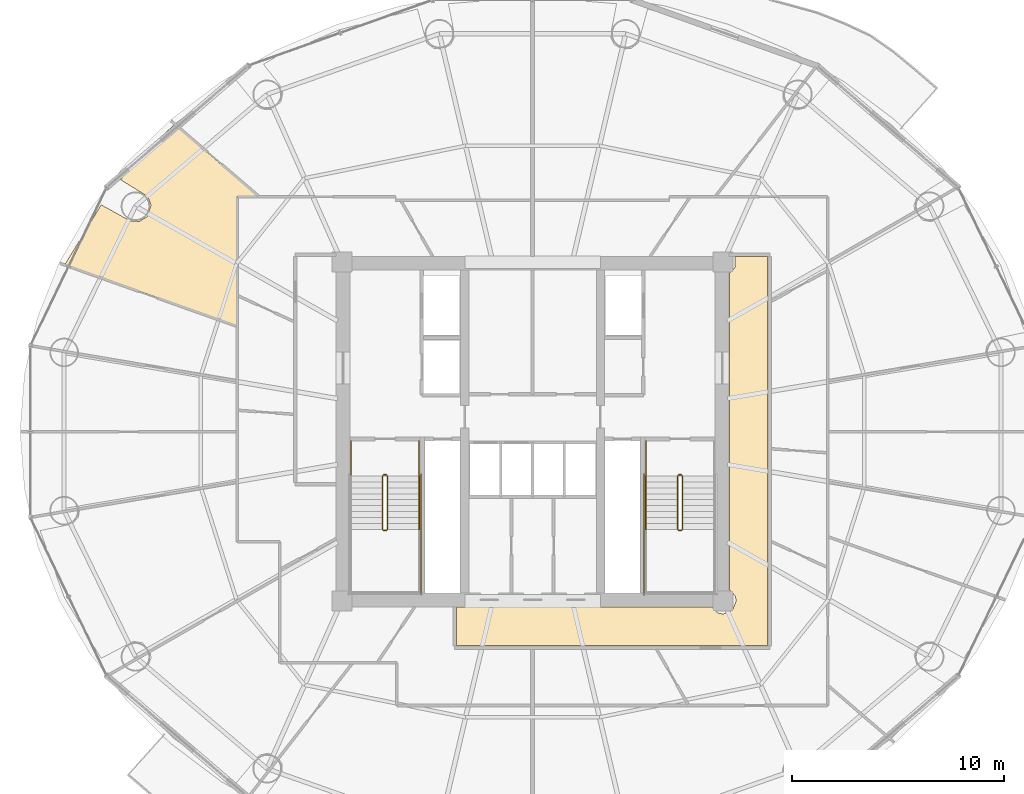
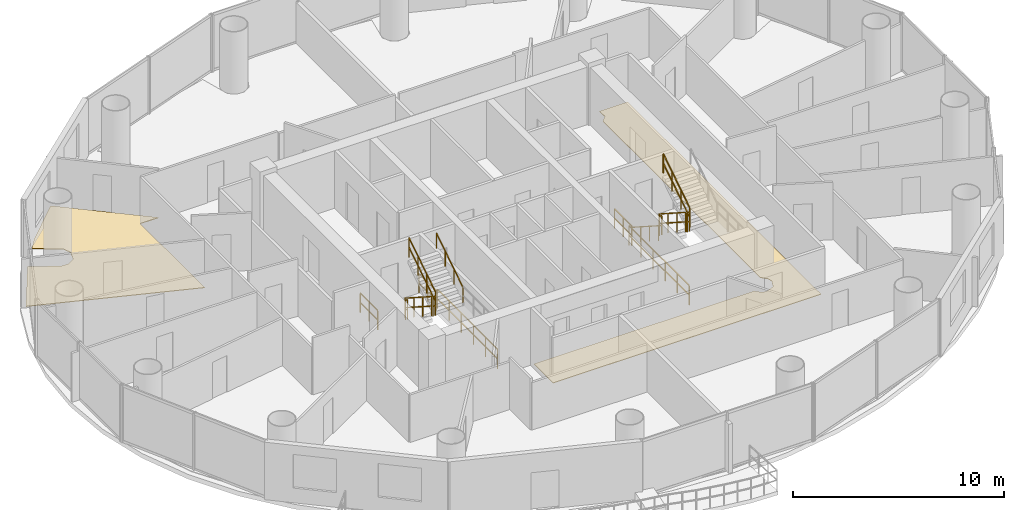
# One storey, part 25 of 26: 15 railings, 2 coverings.
"""IFC4 building model written with IfcOpenShell, lengths in metres."""

from ifc_helpers import new_model, si_unit, direction, frame, origin, origin_2d, place, context, subcontext, project, spatial, polyline, rectangle, outline, extrude, material, layer, layer_set, type_object, element, save


model = new_model("IFC4")

# Units and contexts
model_context = context("Model", 3, precision=1e-05, world=origin(), true_north=direction((-0.2419218956, 0.970295726276)))
body_context = subcontext(model_context, "Body", "Model", "MODEL_VIEW")
ifc_project = project(units=[si_unit("LENGTHUNIT", "METRE"), si_unit("AREAUNIT", "SQUARE_METRE"), si_unit("VOLUMEUNIT", "CUBIC_METRE"), si_unit("PLANEANGLEUNIT", "RADIAN"), si_unit("MASSUNIT", "GRAM", prefix="KILO")], contexts=[model_context])

# Site, building, storey
site_placement = place(None, origin())
site = spatial("IfcSite", under=ifc_project, at=site_placement, CompositionType="ELEMENT")
building_placement = place(site_placement, origin())
building = spatial("IfcBuilding", under=site, at=building_placement, Name="Cobrevalo Terracotta Tower", CompositionType="ELEMENT")
storey_placement = place(building_placement, frame((0.0, 0.0, 175.0)))
storey = spatial("IfcBuildingStorey", under=building, at=storey_placement, Name="L46", CompositionType="ELEMENT", Elevation=175.0)

# Coverings
ifc_material_1 = material(Name="Engineered Brazilian hardwood flooring", Category="wood")
ifc_layer_1 = layer(ifc_material_1, 0.028076171875)
ifc_layer_set_1 = layer_set([ifc_layer_1], Name="Engineered Brazilian hardwood flooring")
covering_type_1 = type_object("IfcCoveringType", Name="Engineered Hardwood Suite Flooring 28", PredefinedType="FLOORING", material=ifc_layer_set_1)
covering_1_placement = place(storey_placement, origin())
element("IfcCovering", 1, at=covering_1_placement, inside=storey, type_object=covering_type_1, Name="Flat L46A Master Bedroom floor finish", PredefinedType="FLOORING", context=body_context, shape_type="SweptSolid", body=[
    extrude(outline(polyline([(17.632568359375, 37.50634765625), (19.017822265625, 36.736572265625), (19.447265625, 36.725830078125), (19.810302734375, 36.955322265625), (19.988525390625, 37.4931640625), (19.834228515625, 37.89404296875), (18.551513671875, 38.6865234375), (19.02197265625, 39.29052734375), (21.0888671875, 41.308837890625), (25.049072265625, 37.905029296875), (24.044921875, 37.905029296875), (24.044921875, 31.78955078125), (15.918212890625, 34.6826171875), (17.632568359375, 37.50634765625)])), origin(), (0.0, 0.0, 1.0), 0.030029296875),
])
ifc_material_2 = material(Name="Honed terracotta and granite tile", Category="masonry")
ifc_layer_2 = layer(ifc_material_2, 0.034912109375)
ifc_layer_set_2 = layer_set([ifc_layer_2], Name="Honed terracotta and granite tile")
covering_type_2 = type_object("IfcCoveringType", Name="Honed Terracotta & Granite Interior Flooring 35", PredefinedType="FLOORING", material=ifc_layer_set_2)
covering_2_placement = place(storey_placement, origin())
element("IfcCovering", 2, at=covering_2_placement, inside=storey, type_object=covering_type_2, Name="L46 Residential Floor Corridor 1 floor finish", PredefinedType="FLOORING", context=body_context, shape_type="SweptSolid", body=[
    extrude(outline(polyline([(34.419921875, 18.5048828125), (46.46533203125, 18.5048828125), (46.7626953125, 18.226806640625), (47.0, 18.1796875), (47.438720703125, 18.361328125), (47.620361328125, 18.800048828125), (47.5732421875, 19.037353515625), (47.294921875, 19.334716796875), (47.294921875, 34.265380859375), (47.5732421875, 34.5625), (47.5615234375, 35.054931640625), (49.10498046875, 35.054931640625), (49.10498046875, 16.695068359375), (34.419921875, 16.695068359375), (34.419921875, 18.5048828125)])), origin(), (0.0, 0.0, 1.0), 0.030029296875),
])

# Railings
ifc_material_3 = material(Name="Brushed stainless steel", Category="steel")
railing_type_1 = type_object("IfcRailingType", Name="Stainless Steel Stair Handrail 900", PredefinedType="HANDRAIL", material=ifc_material_3)
railing_1_placement = place(storey_placement, frame((32.64501953125, 22.179931640625, 1.97998046875)))
element("IfcRailing", 3, at=railing_1_placement, inside=storey, type_object=railing_type_1, Name="L46 ST-1 stair handrail 2", PredefinedType="HANDRAIL", context=body_context, shape_type="SweptSolid", body=[
    extrude(rectangle(XDim=0.048095703125, YDim=0.048095703125, at=origin_2d()), frame((0.0, 0.0, 0.8759765625), z_axis=(0.0, 0.841162588446, 0.540782303519), x_axis=(-1.0, 0.0, 0.0)), (0.0, 0.0, 1.0), 2.995849609375),
    extrude(rectangle(XDim=0.0419921875, YDim=0.0419921875, at=origin_2d()), origin(), (0.0, 0.0, 1.0), 0.851806640625),
    extrude(rectangle(XDim=0.0419921875, YDim=0.0419921875, at=origin_2d()), frame((0.0, 0.840087890625, 0.5400390625)), (0.0, 0.0, 1.0), 0.851806640625),
    extrude(rectangle(XDim=0.0419921875, YDim=0.0419921875, at=origin_2d()), frame((0.0, 1.679931640625, 1.080078125)), (0.0, 0.0, 1.0), 0.851806640625),
    extrude(rectangle(XDim=0.0419921875, YDim=0.0419921875, at=origin_2d()), frame((0.0, 2.52001953125, 1.6201171875)), (0.0, 0.0, 1.0), 0.851806640625),
])
railing_2_placement = place(storey_placement, frame((43.35498046875, 24.699951171875, 0.179931640625)))
element("IfcRailing", 4, at=railing_2_placement, inside=storey, type_object=railing_type_1, Name="L46 ST-2 stair handrail 1", PredefinedType="HANDRAIL", context=body_context, shape_type="SweptSolid", body=[
    extrude(rectangle(XDim=0.048095703125, YDim=0.048095703125, at=origin_2d()), frame((0.0, 0.0, 0.8759765625), z_axis=(0.0, -0.841162588446, 0.540782303519), x_axis=(1.0, 0.0, 0.0)), (0.0, 0.0, 1.0), 2.995849609375),
    extrude(rectangle(XDim=0.0419921875, YDim=0.0419921875, at=origin_2d()), origin(), (0.0, 0.0, 1.0), 0.851806640625),
    extrude(rectangle(XDim=0.0419921875, YDim=0.0419921875, at=origin_2d()), frame((0.0, -0.840087890625, 0.5400390625)), (0.0, 0.0, 1.0), 0.851806640625),
    extrude(rectangle(XDim=0.0419921875, YDim=0.0419921875, at=origin_2d()), frame((0.0, -1.679931640625, 1.080078125)), (0.0, 0.0, 1.0), 0.851806640625),
    extrude(rectangle(XDim=0.0419921875, YDim=0.0419921875, at=origin_2d()), frame((0.0, -2.52001953125, 1.6201171875)), (0.0, 0.0, 1.0), 0.851806640625),
])
ifc_material_4 = material(Name="Painted galvanized steel", Category="steel")
railing_type_2 = type_object("IfcRailingType", Name="Stair Well Guard Balustrade 1150", PredefinedType="GUARDRAIL", material=ifc_material_4)
railing_3_placement = place(storey_placement, frame((30.925048828125, 24.699951171875, 0.179931640625)))
element("IfcRailing", 5, at=railing_3_placement, inside=storey, type_object=railing_type_2, Name="L46 ST-1 stair guard 1", PredefinedType="GUARDRAIL", context=body_context, shape_type="SweptSolid", body=[
    extrude(rectangle(XDim=0.048095703125, YDim=0.048095703125, at=origin_2d()), frame((0.0, 0.0, 1.1259765625), z_axis=(0.0, -0.841162588446, 0.540782303519), x_axis=(1.0, 0.0, 0.0)), (0.0, 0.0, 1.0), 2.995849609375),
    extrude(rectangle(XDim=0.048095703125, YDim=0.048095703125, at=origin_2d()), frame((0.0, 0.0, 0.574951171875), z_axis=(0.0, -0.841162588446, 0.540782303519), x_axis=(1.0, 0.0, 0.0)), (0.0, 0.0, 1.0), 2.995849609375),
    extrude(rectangle(XDim=0.0419921875, YDim=0.0419921875, at=origin_2d()), origin(), (0.0, 0.0, 1.0), 1.101806640625),
    extrude(rectangle(XDim=0.0419921875, YDim=0.0419921875, at=origin_2d()), frame((0.0, -0.840087890625, 0.5400390625)), (0.0, 0.0, 1.0), 1.101806640625),
    extrude(rectangle(XDim=0.0419921875, YDim=0.0419921875, at=origin_2d()), frame((0.0, -1.679931640625, 1.080078125)), (0.0, 0.0, 1.0), 1.101806640625),
    extrude(rectangle(XDim=0.0419921875, YDim=0.0419921875, at=origin_2d()), frame((0.0, -2.52001953125, 1.6201171875)), (0.0, 0.0, 1.0), 1.101806640625),
])
railing_4_placement = place(storey_placement, frame((30.97509765625, 22.1298828125, 1.800048828125)))
element("IfcRailing", 6, at=railing_4_placement, inside=storey, type_object=railing_type_2, Name="L46 ST-1 stair guard 2", PredefinedType="GUARDRAIL", context=body_context, shape_type="SweptSolid", body=[
    extrude(rectangle(XDim=0.048095703125, YDim=0.048095703125, at=origin_2d()), frame((0.0, 0.0, 1.1259765625), z_axis=(1.0, 0.0, 0.0), x_axis=(0.0, 1.0, 0.0)), (0.0, 0.0, 1.0), 0.119873046875),
    extrude(rectangle(XDim=0.048095703125, YDim=0.048095703125, at=origin_2d()), frame((0.0, 0.0, 0.574951171875), z_axis=(1.0, 0.0, 0.0), x_axis=(0.0, 1.0, 0.0)), (0.0, 0.0, 1.0), 0.119873046875),
    extrude(rectangle(XDim=0.0419921875, YDim=0.0419921875, at=origin_2d()), origin(), (0.0, 0.0, 1.0), 1.101806640625),
    extrude(rectangle(XDim=0.0419921875, YDim=0.0419921875, at=origin_2d()), frame((0.119873046875, 0.0, 0.0)), (0.0, 0.0, 1.0), 1.101806640625),
])
railing_5_placement = place(storey_placement, frame((31.14501953125, 22.179931640625, 1.97998046875)))
element("IfcRailing", 7, at=railing_5_placement, inside=storey, type_object=railing_type_2, Name="L46 ST-1 stair guard 6", PredefinedType="GUARDRAIL", context=body_context, shape_type="SweptSolid", body=[
    extrude(rectangle(XDim=0.048095703125, YDim=0.048095703125, at=origin_2d()), frame((0.0, 0.0, 1.1259765625), z_axis=(0.0, 0.841162588446, 0.540782303519), x_axis=(-1.0, 0.0, 0.0)), (0.0, 0.0, 1.0), 2.995849609375),
    extrude(rectangle(XDim=0.048095703125, YDim=0.048095703125, at=origin_2d()), frame((0.0, 0.0, 0.574951171875), z_axis=(0.0, 0.841162588446, 0.540782303519), x_axis=(-1.0, 0.0, 0.0)), (0.0, 0.0, 1.0), 2.995849609375),
    extrude(rectangle(XDim=0.0419921875, YDim=0.0419921875, at=origin_2d()), origin(), (0.0, 0.0, 1.0), 1.101806640625),
    extrude(rectangle(XDim=0.0419921875, YDim=0.0419921875, at=origin_2d()), frame((0.0, 0.840087890625, 0.5400390625)), (0.0, 0.0, 1.0), 1.101806640625),
    extrude(rectangle(XDim=0.0419921875, YDim=0.0419921875, at=origin_2d()), frame((0.0, 1.679931640625, 1.080078125)), (0.0, 0.0, 1.0), 1.101806640625),
    extrude(rectangle(XDim=0.0419921875, YDim=0.0419921875, at=origin_2d()), frame((0.0, 2.52001953125, 1.6201171875)), (0.0, 0.0, 1.0), 1.101806640625),
])
railing_6_placement = place(storey_placement, frame((30.97509765625, 24.75, 0.0)))
element("IfcRailing", 8, at=railing_6_placement, inside=storey, type_object=railing_type_2, Name="L46 ST-1 stair guard 7", PredefinedType="GUARDRAIL", context=body_context, shape_type="SweptSolid", body=[
    extrude(rectangle(XDim=0.048095703125, YDim=0.048095703125, at=origin_2d()), frame((0.0, 0.0, 1.1259765625), z_axis=(1.0, 0.0, 0.0), x_axis=(0.0, 1.0, 0.0)), (0.0, 0.0, 1.0), 0.119873046875),
    extrude(rectangle(XDim=0.048095703125, YDim=0.048095703125, at=origin_2d()), frame((0.0, 0.0, 0.574951171875), z_axis=(1.0, 0.0, 0.0), x_axis=(0.0, 1.0, 0.0)), (0.0, 0.0, 1.0), 0.119873046875),
    extrude(rectangle(XDim=0.0419921875, YDim=0.0419921875, at=origin_2d()), origin(), (0.0, 0.0, 1.0), 1.101806640625),
    extrude(rectangle(XDim=0.0419921875, YDim=0.0419921875, at=origin_2d()), frame((0.119873046875, 0.0, 0.0)), (0.0, 0.0, 1.0), 1.101806640625),
])
for number, where, name in (
    (9, (29.425048828125, 26.35009765625, 0.0), "L46 ST-1 stair guard 8"),
    (10, (32.64501953125, 26.35009765625, 0.0), "L46 ST-1 stair guard 9"),
):
    element("IfcRailing", number, at=place(storey_placement, frame(where)), inside=storey, type_object=railing_type_2, Name=name, PredefinedType="GUARDRAIL", context=body_context, shape_type="SweptSolid", body=[
        extrude(rectangle(XDim=0.048095703125, YDim=0.048095703125, at=origin_2d()), frame((0.0, 0.0, 1.1259765625), z_axis=(0.0, -1.0, 0.0), x_axis=(1.0, 0.0, 0.0)), (0.0, 0.0, 1.0), 1.650146484375),
        extrude(rectangle(XDim=0.048095703125, YDim=0.048095703125, at=origin_2d()), frame((0.0, 0.0, 0.574951171875), z_axis=(0.0, -1.0, 0.0), x_axis=(1.0, 0.0, 0.0)), (0.0, 0.0, 1.0), 1.650146484375),
        extrude(rectangle(XDim=0.0419921875, YDim=0.0419921875, at=origin_2d()), origin(), (0.0, 0.0, 1.0), 1.101806640625),
        extrude(rectangle(XDim=0.0419921875, YDim=0.0419921875, at=origin_2d()), frame((0.0, -0.8251953125, 0.0)), (0.0, 0.0, 1.0), 1.101806640625),
        extrude(rectangle(XDim=0.0419921875, YDim=0.0419921875, at=origin_2d()), frame((0.0, -1.650146484375, 0.0)), (0.0, 0.0, 1.0), 1.101806640625),
    ])
railing_7_placement = place(storey_placement, frame((32.7451171875, 24.800048828125, 0.0)))
element("IfcRailing", 11, at=railing_7_placement, inside=storey, type_object=railing_type_2, Name="L46 ST-1 stair guard 11", PredefinedType="GUARDRAIL", context=body_context, shape_type="SweptSolid", body=[
    extrude(rectangle(XDim=0.048095703125, YDim=0.048095703125, at=origin_2d()), frame((0.0, 0.0, 1.1259765625), z_axis=(0.0, -1.0, 0.0), x_axis=(1.0, 0.0, 0.0)), (0.0, 0.0, 1.0), 5.72509765625),
    extrude(rectangle(XDim=0.048095703125, YDim=0.048095703125, at=origin_2d()), frame((0.0, 0.0, 0.574951171875), z_axis=(0.0, -1.0, 0.0), x_axis=(1.0, 0.0, 0.0)), (0.0, 0.0, 1.0), 5.72509765625),
    extrude(rectangle(XDim=0.0419921875, YDim=0.0419921875, at=origin_2d()), origin(), (0.0, 0.0, 1.0), 1.101806640625),
    extrude(rectangle(XDim=0.0419921875, YDim=0.0419921875, at=origin_2d()), frame((0.0, -1.14501953125, 0.0)), (0.0, 0.0, 1.0), 1.101806640625),
    extrude(rectangle(XDim=0.0419921875, YDim=0.0419921875, at=origin_2d()), frame((0.0, -2.2900390625, 0.0)), (0.0, 0.0, 1.0), 1.101806640625),
    extrude(rectangle(XDim=0.0419921875, YDim=0.0419921875, at=origin_2d()), frame((0.0, -3.43505859375, 0.0)), (0.0, 0.0, 1.0), 1.101806640625),
    extrude(rectangle(XDim=0.0419921875, YDim=0.0419921875, at=origin_2d()), frame((0.0, -4.580078125, 0.0)), (0.0, 0.0, 1.0), 1.101806640625),
    extrude(rectangle(XDim=0.0419921875, YDim=0.0419921875, at=origin_2d()), frame((0.0, -5.72509765625, 0.0)), (0.0, 0.0, 1.0), 1.101806640625),
])
railing_8_placement = place(storey_placement, frame((44.85498046875, 24.699951171875, 0.179931640625)))
element("IfcRailing", 12, at=railing_8_placement, inside=storey, type_object=railing_type_2, Name="L46 ST-2 stair guard 1", PredefinedType="GUARDRAIL", context=body_context, shape_type="SweptSolid", body=[
    extrude(rectangle(XDim=0.048095703125, YDim=0.048095703125, at=origin_2d()), frame((0.0, 0.0, 1.1259765625), z_axis=(0.0, -0.841162588446, 0.540782303519), x_axis=(1.0, 0.0, 0.0)), (0.0, 0.0, 1.0), 2.995849609375),
    extrude(rectangle(XDim=0.048095703125, YDim=0.048095703125, at=origin_2d()), frame((0.0, 0.0, 0.574951171875), z_axis=(0.0, -0.841162588446, 0.540782303519), x_axis=(1.0, 0.0, 0.0)), (0.0, 0.0, 1.0), 2.995849609375),
    extrude(rectangle(XDim=0.0419921875, YDim=0.0419921875, at=origin_2d()), origin(), (0.0, 0.0, 1.0), 1.101806640625),
    extrude(rectangle(XDim=0.0419921875, YDim=0.0419921875, at=origin_2d()), frame((0.0, -0.840087890625, 0.5400390625)), (0.0, 0.0, 1.0), 1.101806640625),
    extrude(rectangle(XDim=0.0419921875, YDim=0.0419921875, at=origin_2d()), frame((0.0, -1.679931640625, 1.080078125)), (0.0, 0.0, 1.0), 1.101806640625),
    extrude(rectangle(XDim=0.0419921875, YDim=0.0419921875, at=origin_2d()), frame((0.0, -2.52001953125, 1.6201171875)), (0.0, 0.0, 1.0), 1.101806640625),
])
railing_9_placement = place(storey_placement, frame((44.905029296875, 22.1298828125, 1.800048828125)))
element("IfcRailing", 13, at=railing_9_placement, inside=storey, type_object=railing_type_2, Name="L46 ST-2 stair guard 2", PredefinedType="GUARDRAIL", context=body_context, shape_type="SweptSolid", body=[
    extrude(rectangle(XDim=0.048095703125, YDim=0.048095703125, at=origin_2d()), frame((0.0, 0.0, 1.1259765625), z_axis=(1.0, 0.0, 0.0), x_axis=(0.0, 1.0, 0.0)), (0.0, 0.0, 1.0), 0.119873046875),
    extrude(rectangle(XDim=0.048095703125, YDim=0.048095703125, at=origin_2d()), frame((0.0, 0.0, 0.574951171875), z_axis=(1.0, 0.0, 0.0), x_axis=(0.0, 1.0, 0.0)), (0.0, 0.0, 1.0), 0.119873046875),
    extrude(rectangle(XDim=0.0419921875, YDim=0.0419921875, at=origin_2d()), origin(), (0.0, 0.0, 1.0), 1.101806640625),
    extrude(rectangle(XDim=0.0419921875, YDim=0.0419921875, at=origin_2d()), frame((0.119873046875, 0.0, 0.0)), (0.0, 0.0, 1.0), 1.101806640625),
])
railing_10_placement = place(storey_placement, frame((45.074951171875, 22.179931640625, 1.97998046875)))
element("IfcRailing", 14, at=railing_10_placement, inside=storey, type_object=railing_type_2, Name="L46 ST-2 stair guard 6", PredefinedType="GUARDRAIL", context=body_context, shape_type="SweptSolid", body=[
    extrude(rectangle(XDim=0.048095703125, YDim=0.048095703125, at=origin_2d()), frame((0.0, 0.0, 1.1259765625), z_axis=(0.0, 0.841162588446, 0.540782303519), x_axis=(-1.0, 0.0, 0.0)), (0.0, 0.0, 1.0), 2.995849609375),
    extrude(rectangle(XDim=0.048095703125, YDim=0.048095703125, at=origin_2d()), frame((0.0, 0.0, 0.574951171875), z_axis=(0.0, 0.841162588446, 0.540782303519), x_axis=(-1.0, 0.0, 0.0)), (0.0, 0.0, 1.0), 2.995849609375),
    extrude(rectangle(XDim=0.0419921875, YDim=0.0419921875, at=origin_2d()), origin(), (0.0, 0.0, 1.0), 1.101806640625),
    extrude(rectangle(XDim=0.0419921875, YDim=0.0419921875, at=origin_2d()), frame((0.0, 0.840087890625, 0.5400390625)), (0.0, 0.0, 1.0), 1.101806640625),
    extrude(rectangle(XDim=0.0419921875, YDim=0.0419921875, at=origin_2d()), frame((0.0, 1.679931640625, 1.080078125)), (0.0, 0.0, 1.0), 1.101806640625),
    extrude(rectangle(XDim=0.0419921875, YDim=0.0419921875, at=origin_2d()), frame((0.0, 2.52001953125, 1.6201171875)), (0.0, 0.0, 1.0), 1.101806640625),
])
railing_11_placement = place(storey_placement, frame((44.905029296875, 24.75, 0.0)))
element("IfcRailing", 15, at=railing_11_placement, inside=storey, type_object=railing_type_2, Name="L46 ST-2 stair guard 7", PredefinedType="GUARDRAIL", context=body_context, shape_type="SweptSolid", body=[
    extrude(rectangle(XDim=0.048095703125, YDim=0.048095703125, at=origin_2d()), frame((0.0, 0.0, 1.1259765625), z_axis=(1.0, 0.0, 0.0), x_axis=(0.0, 1.0, 0.0)), (0.0, 0.0, 1.0), 0.119873046875),
    extrude(rectangle(XDim=0.048095703125, YDim=0.048095703125, at=origin_2d()), frame((0.0, 0.0, 0.574951171875), z_axis=(1.0, 0.0, 0.0), x_axis=(0.0, 1.0, 0.0)), (0.0, 0.0, 1.0), 0.119873046875),
    extrude(rectangle(XDim=0.0419921875, YDim=0.0419921875, at=origin_2d()), origin(), (0.0, 0.0, 1.0), 1.101806640625),
    extrude(rectangle(XDim=0.0419921875, YDim=0.0419921875, at=origin_2d()), frame((0.119873046875, 0.0, 0.0)), (0.0, 0.0, 1.0), 1.101806640625),
])
railing_12_placement = place(storey_placement, frame((43.35498046875, 26.35009765625, 0.0)))
element("IfcRailing", 16, at=railing_12_placement, inside=storey, type_object=railing_type_2, Name="L46 ST-2 stair guard 8", PredefinedType="GUARDRAIL", context=body_context, shape_type="SweptSolid", body=[
    extrude(rectangle(XDim=0.048095703125, YDim=0.048095703125, at=origin_2d()), frame((0.0, 0.0, 1.1259765625), z_axis=(0.0, -1.0, 0.0), x_axis=(1.0, 0.0, 0.0)), (0.0, 0.0, 1.0), 1.650146484375),
    extrude(rectangle(XDim=0.048095703125, YDim=0.048095703125, at=origin_2d()), frame((0.0, 0.0, 0.574951171875), z_axis=(0.0, -1.0, 0.0), x_axis=(1.0, 0.0, 0.0)), (0.0, 0.0, 1.0), 1.650146484375),
    extrude(rectangle(XDim=0.0419921875, YDim=0.0419921875, at=origin_2d()), origin(), (0.0, 0.0, 1.0), 1.101806640625),
    extrude(rectangle(XDim=0.0419921875, YDim=0.0419921875, at=origin_2d()), frame((0.0, -0.8251953125, 0.0)), (0.0, 0.0, 1.0), 1.101806640625),
    extrude(rectangle(XDim=0.0419921875, YDim=0.0419921875, at=origin_2d()), frame((0.0, -1.650146484375, 0.0)), (0.0, 0.0, 1.0), 1.101806640625),
])
railing_13_placement = place(storey_placement, frame((43.2548828125, 24.800048828125, 0.0)))
element("IfcRailing", 17, at=railing_13_placement, inside=storey, type_object=railing_type_2, Name="L46 ST-2 stair guard 10", PredefinedType="GUARDRAIL", context=body_context, shape_type="SweptSolid", body=[
    extrude(rectangle(XDim=0.048095703125, YDim=0.048095703125, at=origin_2d()), frame((0.0, 0.0, 1.1259765625), z_axis=(0.0, -1.0, 0.0), x_axis=(1.0, 0.0, 0.0)), (0.0, 0.0, 1.0), 5.72509765625),
    extrude(rectangle(XDim=0.048095703125, YDim=0.048095703125, at=origin_2d()), frame((0.0, 0.0, 0.574951171875), z_axis=(0.0, -1.0, 0.0), x_axis=(1.0, 0.0, 0.0)), (0.0, 0.0, 1.0), 5.72509765625),
    extrude(rectangle(XDim=0.0419921875, YDim=0.0419921875, at=origin_2d()), origin(), (0.0, 0.0, 1.0), 1.101806640625),
    extrude(rectangle(XDim=0.0419921875, YDim=0.0419921875, at=origin_2d()), frame((0.0, -1.14501953125, 0.0)), (0.0, 0.0, 1.0), 1.101806640625),
    extrude(rectangle(XDim=0.0419921875, YDim=0.0419921875, at=origin_2d()), frame((0.0, -2.2900390625, 0.0)), (0.0, 0.0, 1.0), 1.101806640625),
    extrude(rectangle(XDim=0.0419921875, YDim=0.0419921875, at=origin_2d()), frame((0.0, -3.43505859375, 0.0)), (0.0, 0.0, 1.0), 1.101806640625),
    extrude(rectangle(XDim=0.0419921875, YDim=0.0419921875, at=origin_2d()), frame((0.0, -4.580078125, 0.0)), (0.0, 0.0, 1.0), 1.101806640625),
    extrude(rectangle(XDim=0.0419921875, YDim=0.0419921875, at=origin_2d()), frame((0.0, -5.72509765625, 0.0)), (0.0, 0.0, 1.0), 1.101806640625),
])

save(model, "model.ifc")
